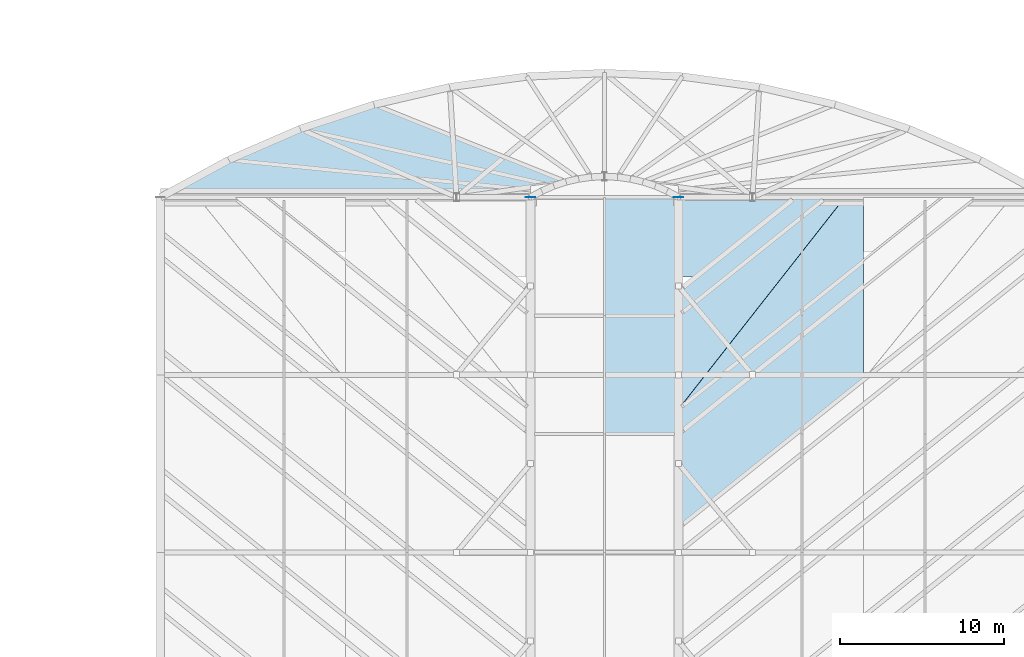
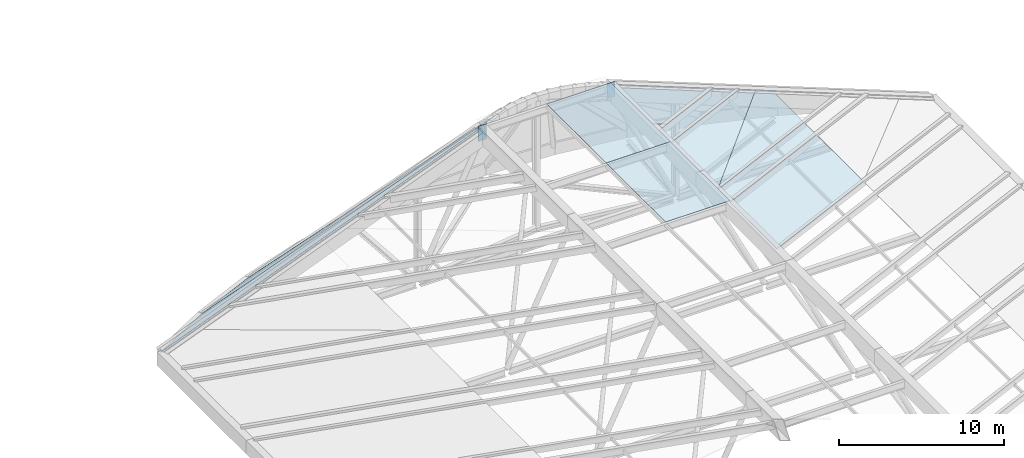
# One storey, part 68 of 110: 13 plates.
"""IFC4 building model written with IfcOpenShell, lengths in metres."""

import ifcopenshell
import ifcopenshell.guid

model = None  # the IFC model being written
_history = None  # IfcOwnerHistory: only IFC2X3 demands one
_inside = {}  # id of a spatial element -> (the spatial element, [elements in it])
_under = {}  # id of a project, library or spatial element -> (it, [spatial elements below it])
_declared = {}  # id of a project -> (the project, [libraries it declares])
_typed = {}  # id of a type object -> (the type object, [elements of that type])
_made_of = {}  # id of a material, layer set ... -> (it, [elements and type objects made of it])


def new_model(schema):
    """Start an empty IFC model of exactly this schema.

    Asked for "IFC4X3", IfcOpenShell would pick the latest addendum, in which some entities
    have other attributes; the version numbers below select the first issue.
    IFC2X3 requires an IfcOwnerHistory on every rooted entity: one is made here for all.
    """
    global model, _history
    if schema == "IFC4X3":
        model = ifcopenshell.file(schema_version=(4, 3, 0, 0))
    else:
        model = ifcopenshell.file(schema=schema)
    _inside.clear()
    _under.clear()
    _declared.clear()
    _typed.clear()
    _made_of.clear()
    _history = None
    if model.schema == "IFC2X3":
        org = make("IfcOrganization", Name="unknown")
        user = make(
            "IfcPersonAndOrganization",
            ThePerson=make("IfcPerson", FamilyName="unknown"),
            TheOrganization=org,
        )
        app = make(
            "IfcApplication",
            ApplicationDeveloper=org,
            Version="unknown",
            ApplicationFullName="unknown",
            ApplicationIdentifier="unknown",
        )
        _history = make(
            "IfcOwnerHistory",
            OwningUser=user,
            OwningApplication=app,
            ChangeAction="ADDED",
            CreationDate=0,
        )
    return model


def make(cls, **values):
    """One entity of the class cls with the attributes given. An attribute that is None is left unset."""
    return model.create_entity(
        cls, **{name: value for name, value in values.items() if value is not None}
    )


def rooted(cls, **values):
    """An entity with a GlobalId (a new one), such as an element, a storey or a relation."""
    return make(cls, GlobalId=ifcopenshell.guid.new(), OwnerHistory=_history, **values)


def si_unit(unit_type, name, prefix=None):
    """IfcSIUnit, for example si_unit("LENGTHUNIT", "METRE", prefix="MILLI")."""
    return make("IfcSIUnit", UnitType=unit_type, Prefix=prefix, Name=name)


def assignment(units):
    """IfcUnitAssignment: the units of a project."""
    return None if units is None else make("IfcUnitAssignment", Units=units)


def point(xyz):
    """IfcCartesianPoint."""
    return None if xyz is None else make("IfcCartesianPoint", Coordinates=xyz)


def direction(xyz):
    """IfcDirection."""
    return None if xyz is None else make("IfcDirection", DirectionRatios=xyz)


def frame(location, z_axis=None, x_axis=None):
    """IfcAxis2Placement3D, a coordinate frame: its origin and axes. An axis left out is left unset."""
    return make(
        "IfcAxis2Placement3D",
        Location=point(location),
        Axis=direction(z_axis),
        RefDirection=direction(x_axis),
    )


def frame_2d(location, x_axis=None):
    """IfcAxis2Placement2D, a coordinate frame in the plane: its origin and x axis."""
    return make(
        "IfcAxis2Placement2D", Location=point(location), RefDirection=direction(x_axis)
    )


def origin():
    """The frame at (0, 0, 0) with its axes left unset."""
    return frame((0.0, 0.0, 0.0))


def origin_2d():
    """The frame at (0, 0) in the plane with its x axis left unset."""
    return frame_2d((0.0, 0.0))


def place(relative_to, where):
    """IfcLocalPlacement: puts the frame where relative to a parent placement (None: the world)."""
    return make(
        "IfcLocalPlacement", PlacementRelTo=relative_to, RelativePlacement=where
    )


def context(
    kind, dimensions, precision=None, world=None, true_north=None, identifier=None
):
    """IfcGeometricRepresentationContext, for example the 3D "Model" context."""
    return make(
        "IfcGeometricRepresentationContext",
        ContextIdentifier=identifier,
        ContextType=kind,
        CoordinateSpaceDimension=dimensions,
        Precision=precision,
        WorldCoordinateSystem=world,
        TrueNorth=true_north,
    )


def subcontext(parent, identifier, kind, view, scale=None):
    """IfcGeometricRepresentationSubContext, for example "Body" below "Model"."""
    return make(
        "IfcGeometricRepresentationSubContext",
        ContextIdentifier=identifier,
        ContextType=kind,
        ParentContext=parent,
        TargetScale=scale,
        TargetView=view,
    )


def project(units=None, contexts=None):
    """IfcProject with its units and contexts."""
    return rooted(
        "IfcProject",
        Name="project",
        RepresentationContexts=contexts,
        UnitsInContext=assignment(units),
    )


def spatial(cls, under=None, at=None, **own):
    """A site, building, storey or space (cls), placed at a placement, below another one or the project."""
    s = rooted(cls, ObjectPlacement=at, **own)
    if under is not None:
        _under.setdefault(under.id(), (under, []))[1].append(s)
    return s


def polyline(points):
    """IfcPolyline through the points."""
    return make("IfcPolyline", Points=[point(p) for p in points])


def profile(cls, at=None, kind="AREA", **sizes):
    """A parametric profile (cls). Its sizes go by their IFC names, for example OverallWidth=200.0."""
    return make(cls, ProfileType=kind, Position=at, **sizes)


def rectangle(**sizes):
    """IfcRectangleProfileDef."""
    return profile("IfcRectangleProfileDef", **sizes)


def outline(outer, holes=None, kind="AREA"):
    """IfcArbitraryClosedProfileDef: a profile drawn as a closed curve; with holes, ...WithVoids."""
    if holes is None:
        return make("IfcArbitraryClosedProfileDef", ProfileType=kind, OuterCurve=outer)
    return make(
        "IfcArbitraryProfileDefWithVoids",
        ProfileType=kind,
        OuterCurve=outer,
        InnerCurves=holes,
    )


def extrude(swept, where, along, depth):
    """IfcExtrudedAreaSolid: the profile swept, set in the frame where, extruded along a direction by depth."""
    return make(
        "IfcExtrudedAreaSolid",
        SweptArea=swept,
        Position=where,
        ExtrudedDirection=direction(along),
        Depth=depth,
    )


def shape(context_of_items, identifier, shape_type, items):
    """IfcShapeRepresentation: the items that make up one representation, for example the "Body"."""
    return make(
        "IfcShapeRepresentation",
        ContextOfItems=context_of_items,
        RepresentationIdentifier=identifier,
        RepresentationType=shape_type,
        Items=items,
    )


def material(Name=None, Category=None):
    """IfcMaterial."""
    return make("IfcMaterial", Name=Name, Category=Category)


def layer(
    of_material, thickness, ventilated=None, Name=None, Category=None, Priority=None
):
    """IfcMaterialLayer: one layer of a wall or slab, of a material (None: an air gap)."""
    return make(
        "IfcMaterialLayer",
        Material=of_material,
        LayerThickness=thickness,
        IsVentilated=ventilated,
        Name=Name,
        Category=Category,
        Priority=Priority,
    )


def layer_set(layers, Name=None):
    """IfcMaterialLayerSet."""
    return make("IfcMaterialLayerSet", MaterialLayers=layers, LayerSetName=Name)


def made_of(thing, what):
    """Note that an element or type object is made of a material, layer set ...; save() writes the relation."""
    if what is not None:
        _made_of.setdefault(what.id(), (what, []))[1].append(thing)
    return thing


def type_object(cls, material=None, **own):
    """A type object (cls), such as IfcWallType, which elements share."""
    return made_of(rooted(cls, **own), material)


def element(
    cls,
    number,
    at=None,
    inside=None,
    cuts=None,
    type_object=None,
    material=None,
    context=None,
    identifier="Body",
    shape_type=None,
    held_by="IfcProductDefinitionShape",
    body=None,
    shapes=None,
    **own,
):
    """One element of the class cls, such as IfcWall. Its Tag is "e" and its number.

    at: its placement. inside: the storey or other place that contains it. cuts: it is an
    opening in that element (IfcRelVoidsElement). A single representation is given by context,
    identifier, shape_type and body (its items); several are given by shapes. held_by: the class
    of the entity that holds the representations. save() writes the other relations.
    """
    e = rooted(cls, Tag="e%d" % number, ObjectPlacement=at, **own)
    if body is not None:
        shapes = [shape(context, identifier, shape_type, body)]
    if shapes is not None:
        e.Representation = make(held_by, Representations=shapes)
    if inside is not None:
        _inside.setdefault(inside.id(), (inside, []))[1].append(e)
    if cuts is not None:
        rooted(
            "IfcRelVoidsElement", RelatingBuildingElement=cuts, RelatedOpeningElement=e
        )
    if type_object is not None:
        _typed.setdefault(type_object.id(), (type_object, []))[1].append(e)
    return made_of(e, material)


def aggregate(whole, parts):
    """IfcRelAggregates: a whole, such as a stair, and the parts it consists of."""
    return rooted("IfcRelAggregates", RelatingObject=whole, RelatedObjects=parts)


def save(model, path):
    """Write the relations noted so far, then the file.

    IfcRelAggregates (storeys below a building ...), IfcRelContainedInSpatialStructure (elements
    in a storey), IfcRelDefinesByType, IfcRelAssociatesMaterial and IfcRelDeclares: one each for
    every whole, place, type object, material and project.
    """
    for whole, parts in _under.values():
        aggregate(whole, parts)
    for where, things in _inside.values():
        rooted(
            "IfcRelContainedInSpatialStructure",
            RelatedElements=things,
            RelatingStructure=where,
        )
    for kind, things in _typed.values():
        rooted("IfcRelDefinesByType", RelatedObjects=things, RelatingType=kind)
    for what, things in _made_of.values():
        rooted("IfcRelAssociatesMaterial", RelatedObjects=things, RelatingMaterial=what)
    for by, libraries in _declared.values():
        rooted("IfcRelDeclares", RelatingContext=by, RelatedDefinitions=libraries)
    model.write(path)


model = new_model("IFC4")

# Units and contexts
model_context = context("Model", 3, precision=1e-05, world=origin(), true_north=direction((0.0, 1.0)))
body_context = subcontext(model_context, "Body", "Model", "MODEL_VIEW")
ifc_project = project(units=[si_unit("LENGTHUNIT", "METRE"), si_unit("AREAUNIT", "SQUARE_METRE"), si_unit("VOLUMEUNIT", "CUBIC_METRE"), si_unit("PLANEANGLEUNIT", "RADIAN"), si_unit("MASSUNIT", "GRAM", prefix="KILO")], contexts=[model_context])

# Site, building, storey
site_placement = place(None, origin())
site = spatial("IfcSite", under=ifc_project, at=site_placement, CompositionType="ELEMENT")
building_placement = place(site_placement, origin())
building = spatial("IfcBuilding", under=site, at=building_placement, Name="Tamarisk Ironworks Central Station", CompositionType="ELEMENT")
storey_placement = place(building_placement, frame((0.0, 0.0, 17.39990234375)))
storey = spatial("IfcBuildingStorey", under=building, at=storey_placement, Name="L03", CompositionType="ELEMENT", Elevation=17.39990234375)

# Plates
ifc_material_1 = material(Name="Painted structural steel S355J2", Category="steel")
ifc_layer_1 = layer(ifc_material_1, 0.01611328125)
ifc_layer_set_1 = layer_set([ifc_layer_1], Name="Painted structural steel S355J2")
plate_type_1 = type_object("IfcPlateType", Name="PL-EC16", PredefinedType="SHEET", material=ifc_layer_set_1)
for number, where, z_axis, x_axis, name in (
    (1, (76.5, 111.60009765625, 7.090087890625), (0.0, 0.0, 1.0), (1.0, 0.0, 0.0), "Spine box girder welded end-cap plate 006"),
    (2, (85.5, 111.60009765625, 7.090087890625), (0.0, 0.0, 1.0), (1.0, 0.0, 0.0), "Spine box girder welded end-cap plate 008"),
):
    element("IfcPlate", number, at=place(storey_placement, frame(where, z_axis=z_axis, x_axis=x_axis)), inside=storey, type_object=plate_type_1, Name=name, PredefinedType="SHEET", context=body_context, shape_type="SweptSolid", body=[
        extrude(rectangle(XDim=0.570068359375, YDim=0.01611328125, at=origin_2d()), origin(), (0.0, 0.0, 1.0), 1.1201171875),
    ])
ifc_material_2 = material(Name="Laminated solar-control low-E glass", Category="glass")
ifc_layer_2 = layer(ifc_material_2, 0.031982421875)
ifc_layer_set_2 = layer_set([ifc_layer_2], Name="Laminated solar-control low-E glass")
plate_type_2 = type_object("IfcPlateType", Name="PL-RG32", PredefinedType="USERDEFINED", material=ifc_layer_set_2)
plate_1_placement = place(storey_placement, frame((76.5, 111.60009765625, 8.10009765625), z_axis=(-0.303155008738, 0.554344580754, 0.775112331514), x_axis=(0.877394973555, 0.479768755689, 3.8021771e-05)))
element("IfcPlate", 3, at=plate_1_placement, inside=storey, type_object=plate_type_2, Name="NORTH rounded entrance hall trapezoidal glass panel 01", ObjectType="ROOF GLAZING PANEL", PredefinedType="USERDEFINED", context=body_context, shape_type="SweptSolid", body=[
    extrude(outline(polyline([(0.0, 0.0), (0.7882865631451655, 5.551115123125783e-17), (-15.011767857460233, 13.927115324421862), (-19.741721498418965, 13.926783248645446), (0.0, 0.0)])), origin(), (0.0, 0.0, -1.0), 0.031982421875),
])
plate_2_placement = place(storey_placement, frame((77.191650390625, 111.978271484375, 8.10009765625), z_axis=(-0.273377416592, 0.629940804137, 0.726938354595), x_axis=(0.917366965282, 0.39804251948, 6.0784018e-05)))
element("IfcPlate", 4, at=plate_2_placement, inside=storey, type_object=plate_type_2, Name="NORTH rounded entrance hall trapezoidal glass panel 02", ObjectType="ROOF GLAZING PANEL", PredefinedType="USERDEFINED", context=body_context, shape_type="SweptSolid", body=[
    extrude(outline(polyline([(0.0, 0.0), (0.7882630831782398, 8.326672684688674e-17), (-11.98609481419612, 12.813871294915465), (-16.715964848314005, 12.813382853131323), (0.0, 0.0)])), origin(), (0.0, 0.0, -1.0), 0.031982421875),
])
plate_3_placement = place(storey_placement, frame((77.914794921875, 112.2919921875, 8.10009765625), z_axis=(-0.230148530023, 0.698120459801, 0.677981915493), x_axis=(0.949726201919, 0.313081684545, 1.3805275e-05)))
element("IfcPlate", 5, at=plate_3_placement, inside=storey, type_object=plate_type_2, Name="NORTH rounded entrance hall trapezoidal glass panel 03", ObjectType="ROOF GLAZING PANEL", PredefinedType="USERDEFINED", context=body_context, shape_type="SweptSolid", body=[
    extrude(outline(polyline([(0.0, 0.0), (0.7884120713772458, 0.0), (-8.837133590628502, 11.971409644665945), (-13.567142285394947, 11.97130600497725), (0.0, 0.0)])), origin(), (0.0, 0.0, -1.0), 0.031982421875),
])
ifc_layer_3 = layer(ifc_material_2, 0.035888671875)
ifc_layer_set_3 = layer_set([ifc_layer_3], Name="Laminated solar-control low-E glass")
plate_type_3 = type_object("IfcPlateType", Name="PL-RG36", PredefinedType="USERDEFINED", material=ifc_layer_set_3)
plate_4_placement = place(storey_placement, frame((0.0, 0.0, 8.1640625)))
element("IfcPlate", 6, at=plate_4_placement, inside=storey, type_object=plate_type_3, Name="Concourse central skylight spine glass panel 026", ObjectType="ROOF GLAZING PANEL", PredefinedType="USERDEFINED", context=body_context, shape_type="SweptSolid", body=[
    extrude(outline(polyline([(81.00390625, 97.2041015625), (85.5, 97.2041015625), (85.5, 104.39599609375), (81.00390625, 104.39599609375), (81.00390625, 97.2041015625)])), origin(), (0.0, 0.0, 1.0), 0.0361328125),
])
plate_5_placement = place(storey_placement, frame((0.0, 0.0, 8.1640625)))
element("IfcPlate", 7, at=plate_5_placement, inside=storey, type_object=plate_type_3, Name="Concourse central skylight spine glass panel 028", ObjectType="ROOF GLAZING PANEL", PredefinedType="USERDEFINED", context=body_context, shape_type="SweptSolid", body=[
    extrude(outline(polyline([(81.00390625, 104.404052734375), (85.5, 104.404052734375), (85.5, 111.595947265625), (81.00390625, 111.595947265625), (81.00390625, 104.404052734375)])), origin(), (0.0, 0.0, 1.0), 0.0361328125),
])
plate_6_placement = place(storey_placement, frame((96.74609375, 100.500732421875, 3.70166015625), z_axis=(0.364245304975, 0.0, 0.931303042948), x_axis=(0.0, 1.0, 0.0)))
element("IfcPlate", 8, at=plate_6_placement, inside=storey, type_object=plate_type_3, Name="Concourse fitted 4-vertex fishbone roof glass panel 0120", ObjectType="ROOF GLAZING PANEL", PredefinedType="USERDEFINED", context=body_context, shape_type="SweptSolid", body=[
    extrude(outline(polyline([(0.0, 0.0), (5.692138671875, 0.0), (-3.301513671875, 12.071460074281257), (-8.99365234375, 12.071460074281257), (0.0, 0.0)])), origin(), (0.0, 0.0, -1.0), 0.035888671875),
])
plate_7_placement = place(storey_placement, frame((96.74609375, 106.20068359375, 3.70166015625), z_axis=(0.364245304975, 0.0, 0.931303042948), x_axis=(0.0, 1.0, 0.0)))
element("IfcPlate", 9, at=plate_7_placement, inside=storey, type_object=plate_type_3, Name="Concourse fitted 4-vertex fishbone roof glass panel 0121", ObjectType="ROOF GLAZING PANEL", PredefinedType="USERDEFINED", context=body_context, shape_type="SweptSolid", body=[
    extrude(outline(polyline([(0.0, 0.0), (1.4921875, 0.0), (-7.50146484375, 12.071460074281257), (-8.993408203125, 12.071460074281257), (0.0, 0.0)])), origin(), (0.0, 0.0, -1.0), 0.035888671875),
])
plate_8_placement = place(storey_placement, frame((95.623046875, 111.595947265625, 4.140869140625), z_axis=(0.364244750766, 4.773498e-06, 0.931303259694), x_axis=(-0.931303259705, 1.08e-10, 0.36424475077)))
element("IfcPlate", 10, at=plate_8_placement, inside=storey, type_object=plate_type_3, Name="Concourse fitted 4-vertex fishbone roof glass panel 0122", ObjectType="ROOF GLAZING PANEL", PredefinedType="USERDEFINED", context=body_context, shape_type="SweptSolid", body=[
    extrude(outline(polyline([(0.0, 0.0), (1.2058767825382335, 0.0), (10.86558329096684, 7.1967773450006325), (10.865583290354653, 12.888671876185786), (0.0, 0.0)])), origin(), (0.0, 0.0, -1.0), 0.035888671875),
])
plate_9_placement = place(storey_placement, frame((96.74609375, 107.70068359375, 3.70166015625), z_axis=(0.364239954493, 5.380871e-06, 0.931305135561), x_axis=(-1.959928e-06, 0.999999999986, -5.011233e-06)))
element("IfcPlate", 11, at=plate_9_placement, inside=storey, type_object=plate_type_3, Name="Concourse fitted 4-vertex fishbone roof glass panel 0123", ObjectType="ROOF GLAZING PANEL", PredefinedType="USERDEFINED", context=body_context, shape_type="SweptSolid", body=[
    extrude(outline(polyline([(0.0, 0.0), (3.8952636718186087, 1.6497083341604446e-21), (3.8952636719313913, 1.2058767826621701), (-8.993408203367979, 12.071460074082038), (0.0, 0.0)])), origin(), (0.0, 0.0, -1.0), 0.035888671875),
])
plate_10_placement = place(storey_placement, frame((94.489990234375, 111.595947265625, 4.583984375), z_axis=(0.364261976918, -1.9107498e-05, 0.931296521955), x_axis=(-0.931296522125, 2.72e-10, 0.364261976985)))
element("IfcPlate", 12, at=plate_10_placement, inside=storey, type_object=plate_type_3, Name="Concourse fitted 4-vertex fishbone roof glass panel 0124", ObjectType="ROOF GLAZING PANEL", PredefinedType="USERDEFINED", context=body_context, shape_type="SweptSolid", body=[
    extrude(outline(polyline([(0.0, 0.0), (2.0025851854852483, 0.0), (9.648961548877212, 5.696777347414455), (9.648961548471403, 7.188720706517104), (0.0, 0.0)])), origin(), (0.0, 0.0, -1.0), 0.035888671875),
])
plate_11_placement = place(storey_placement, frame((86.570556640625, 106.760498046875, 7.681396484375), z_axis=(0.364251530492, -8.977196e-06, 0.931300607996), x_axis=(0.746820499711, 0.597445896758, -0.292091666534)))
element("IfcPlate", 13, at=plate_11_placement, inside=storey, type_object=plate_type_3, Name="Concourse fitted 4-vertex fishbone roof glass panel 0125", ObjectType="ROOF GLAZING PANEL", PredefinedType="USERDEFINED", context=body_context, shape_type="SweptSolid", body=[
    extrude(outline(polyline([(0.0, 0.0), (8.093534904804645, -8.881784197001252e-16), (1.9704516625574733, 4.561876653523434), (-0.9184676321643025, 0.6842853323796116), (0.0, 0.0)])), origin(), (0.0, 0.0, -1.0), 0.035888671875),
])

save(model, "model.ifc")
